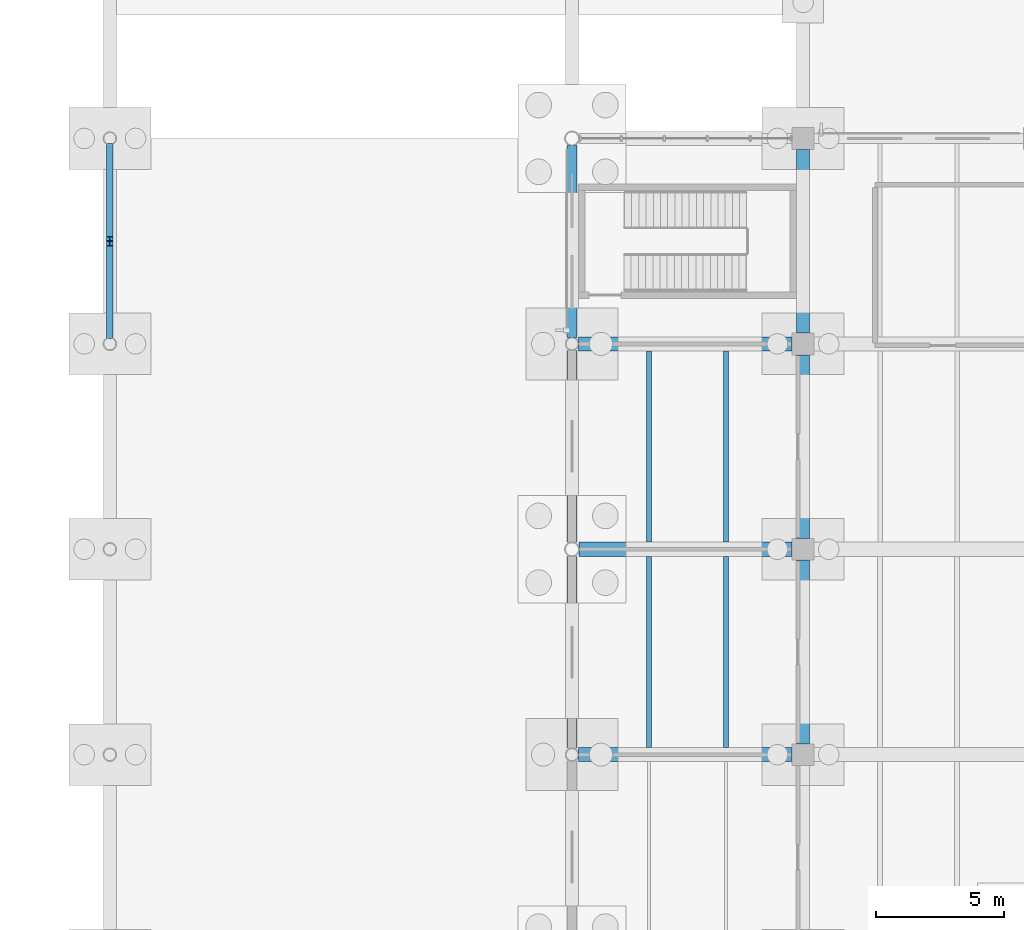
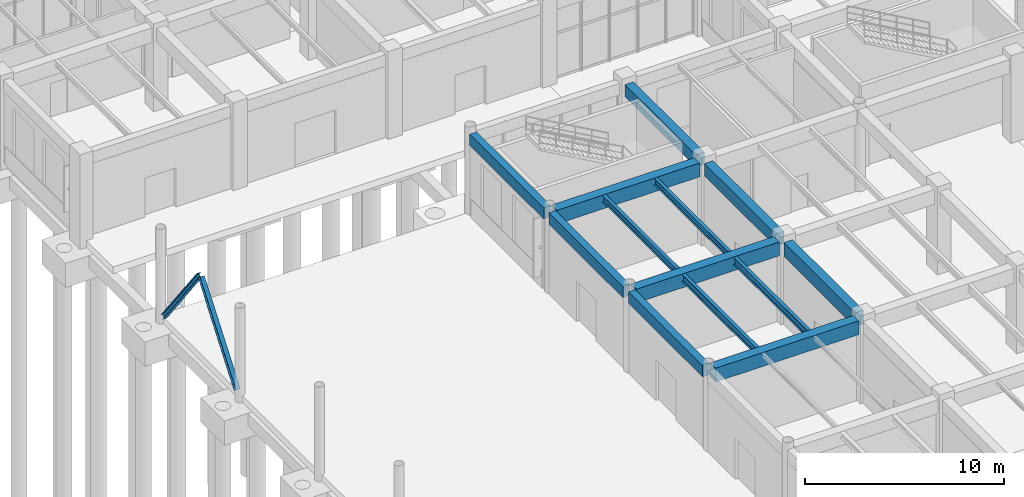
# One storey, part 32 of 121: 13 beams, 2 members.
"""IFC4 building model written with IfcOpenShell, lengths in metres."""

from ifc_helpers import new_model, si_unit, derived_unit, direction, frame, origin, origin_2d, place, context, subcontext, project, spatial, rectangle, i_section, extrude, material, material_profile, profile_set, type_object, element, save


model = new_model("IFC4")

# Units and contexts
model_context = context("Model", 3, precision=1e-05, world=origin(), true_north=direction((0.0, 1.0)))
body_context = subcontext(model_context, "Body", "Model", "MODEL_VIEW")
ifc_project = project(units=[si_unit("LENGTHUNIT", "METRE"), si_unit("AREAUNIT", "SQUARE_METRE"), si_unit("VOLUMEUNIT", "CUBIC_METRE"), si_unit("PLANEANGLEUNIT", "RADIAN"), si_unit("MASSUNIT", "GRAM", prefix="KILO"), derived_unit("THERMALTRANSMITTANCEUNIT", [(si_unit("MASSUNIT", "GRAM", prefix="KILO"), 1), (si_unit("TIMEUNIT", "SECOND"), -3), (si_unit("THERMODYNAMICTEMPERATUREUNIT", "KELVIN"), -1)])], contexts=[model_context])

# Site, building, storey
site_placement = place(None, origin())
site = spatial("IfcSite", under=ifc_project, at=site_placement, CompositionType="ELEMENT")
building_placement = place(site_placement, origin())
building = spatial("IfcBuilding", under=site, at=building_placement, Name="Zhenchuan Archway Interchange", CompositionType="ELEMENT")
storey_placement = place(building_placement, origin())
storey = spatial("IfcBuildingStorey", under=building, at=storey_placement, Name="L00", CompositionType="ELEMENT", Elevation=0.0)

# Beams
ifc_material_1 = material(Name="Concrete C40", Category="concrete")
ifc_material_profile_1 = material_profile(ifc_material_1, rectangle(XDim=0.5, YDim=0.75, at=origin_2d()), Name="RC 500x750")
ifc_profile_set_1 = profile_set([ifc_material_profile_1], Name="Concrete C40")
beam_type_1 = type_object("IfcBeamType", Name="BM_RC_500x750", PredefinedType="BEAM", material=ifc_profile_set_1)
for number, where, z_axis, x_axis, name in (
    (1, (27.0, 72.425048828125, 4.64501953125), (0.0, 1.0, 0.0), (-1.0, 0.0, 0.0), "Beam 4:K-L (L00)"),
    (2, (27.0, 80.425048828125, 4.64501953125), (0.0, 1.0, 0.0), (-1.0, 0.0, 0.0), "Beam 4:L-M (L00)"),
):
    element("IfcBeam", number, at=place(storey_placement, frame(where, z_axis=z_axis, x_axis=x_axis)), inside=storey, type_object=beam_type_1, Name=name, PredefinedType="BEAM", context=body_context, shape_type="SweptSolid", body=[
        extrude(rectangle(XDim=0.5, YDim=0.75, at=origin_2d()), origin(), (0.0, 0.0, 1.0), 7.14990234375),
    ])
ifc_material_profile_2 = material_profile(ifc_material_1, rectangle(XDim=0.5, YDim=0.85009765625, at=origin_2d()), Name="RC 500x850")
ifc_profile_set_2 = profile_set([ifc_material_profile_2], Name="Concrete C40")
beam_type_2 = type_object("IfcBeamType", Name="BM_RC_500x850", PredefinedType="BEAM", material=ifc_profile_set_2)
beam_1_placement = place(storey_placement, frame((27.0, 64.425048828125, 4.594970703125), z_axis=(0.0, 1.0, 0.0), x_axis=(-1.0, 0.0, 0.0)))
element("IfcBeam", 3, at=beam_1_placement, inside=storey, type_object=beam_type_2, Name="Beam 4:J-K (L00)", PredefinedType="BEAM", context=body_context, shape_type="SweptSolid", body=[
    extrude(rectangle(XDim=0.5, YDim=0.85009765625, at=origin_2d()), origin(), (0.0, 0.0, 1.0), 7.14990234375),
])
ifc_material_profile_3 = material_profile(ifc_material_1, rectangle(XDim=0.550048828125, YDim=0.85009765625, at=origin_2d()), Name="RC 550x850")
ifc_profile_set_3 = profile_set([ifc_material_profile_3], Name="Concrete C40")
beam_type_3 = type_object("IfcBeamType", Name="BM_RC_550x850", PredefinedType="BEAM", material=ifc_profile_set_3)
beam_2_placement = place(storey_placement, frame((18.25390625, 64.0, 4.594970703125), z_axis=(1.0, 0.0, 0.0), x_axis=(0.0, 1.0, 0.0)))
element("IfcBeam", 4, at=beam_2_placement, inside=storey, type_object=beam_type_3, Name="Beam J:3-4 (L00)", PredefinedType="BEAM", context=body_context, shape_type="SweptSolid", body=[
    extrude(rectangle(XDim=0.550048828125, YDim=0.85009765625, at=origin_2d()), origin(), (0.0, 0.0, 1.0), 8.321044921875),
])
beam_3_placement = place(storey_placement, frame((18.279541015625, 72.0, 4.594970703125), z_axis=(1.0, 0.0, 0.0), x_axis=(0.0, 1.0, 0.0)))
element("IfcBeam", 5, at=beam_3_placement, inside=storey, type_object=beam_type_3, Name="Beam K:3-4 (L00)", PredefinedType="BEAM", context=body_context, shape_type="SweptSolid", body=[
    extrude(rectangle(XDim=0.550048828125, YDim=0.85009765625, at=origin_2d()), origin(), (0.0, 0.0, 1.0), 8.29541015625),
])
beam_4_placement = place(storey_placement, frame((18.25390625, 80.0, 4.594970703125), z_axis=(1.0, 0.0, 0.0), x_axis=(0.0, 1.0, 0.0)))
element("IfcBeam", 6, at=beam_4_placement, inside=storey, type_object=beam_type_3, Name="Beam L:3-4 (L00)", PredefinedType="BEAM", context=body_context, shape_type="SweptSolid", body=[
    extrude(rectangle(XDim=0.550048828125, YDim=0.85009765625, at=origin_2d()), origin(), (0.0, 0.0, 1.0), 8.321044921875),
])
ifc_material_2 = material(Name="Steel Q355", Category="steel")
ifc_material_profile_4 = material_profile(ifc_material_2, i_section(OverallWidth=0.199951171875, OverallDepth=0.39990234375, WebThickness=0.008056640625, FlangeThickness=0.012939453125, FilletRadius=0.01611328125, at=origin_2d()), Name="HN 400x200")
ifc_profile_set_4 = profile_set([ifc_material_profile_4], Name="Steel Q355")
beam_type_4 = type_object("IfcBeamType", Name="JST_STL_HN400", PredefinedType="JOIST", material=ifc_profile_set_4)
for number, where, z_axis, x_axis, name in (
    (7, (21.0, 72.27490234375, 4.820068359375), (0.0, 1.0, 0.0), (-1.0, 0.0, 0.0), "Secondary joist 3-4/K-L #1 (L00)"),
    (8, (24.0, 72.27490234375, 4.820068359375), (0.0, 1.0, 0.0), (-1.0, 0.0, 0.0), "Secondary joist 3-4/K-L #2 (L00)"),
):
    element("IfcBeam", number, at=place(storey_placement, frame(where, z_axis=z_axis, x_axis=x_axis)), inside=storey, type_object=beam_type_4, Name=name, PredefinedType="JOIST", context=body_context, shape_type="SweptSolid", body=[
        extrude(i_section(OverallWidth=0.199951171875, OverallDepth=0.39990234375, WebThickness=0.008056640625, FlangeThickness=0.012939453125, FilletRadius=0.01611328125, at=origin_2d()), origin(), (0.0, 0.0, 1.0), 7.4501953125),
    ])
ifc_material_profile_5 = material_profile(ifc_material_2, i_section(OverallWidth=0.199951171875, OverallDepth=0.449951171875, WebThickness=0.009033203125, FlangeThickness=0.013916015625, FilletRadius=0.01806640625, at=origin_2d()), Name="HN 450x200")
ifc_profile_set_5 = profile_set([ifc_material_profile_5], Name="Steel Q355")
beam_type_5 = type_object("IfcBeamType", Name="JST_STL_HN450", PredefinedType="JOIST", material=ifc_profile_set_5)
for number, where, z_axis, x_axis, name in (
    (9, (21.0, 64.27490234375, 4.794921875), (0.0, 1.0, 0.0), (-1.0, 0.0, 0.0), "Secondary joist 3-4/J-K #1 (L00)"),
    (10, (24.0, 64.27490234375, 4.794921875), (0.0, 1.0, 0.0), (-1.0, 0.0, 0.0), "Secondary joist 3-4/J-K #2 (L00)"),
):
    element("IfcBeam", number, at=place(storey_placement, frame(where, z_axis=z_axis, x_axis=x_axis)), inside=storey, type_object=beam_type_5, Name=name, PredefinedType="JOIST", context=body_context, shape_type="SweptSolid", body=[
        extrude(i_section(OverallWidth=0.199951171875, OverallDepth=0.449951171875, WebThickness=0.009033203125, FlangeThickness=0.013916015625, FilletRadius=0.01806640625, at=origin_2d()), origin(), (0.0, 0.0, 1.0), 7.4501953125),
    ])

# Members
ifc_material_profile_6 = material_profile(ifc_material_2, i_section(OverallWidth=0.25, OverallDepth=0.25, WebThickness=0.009033203125, FlangeThickness=0.013916015625, FilletRadius=0.01611328125, at=origin_2d()), Name="HW 250x250")
ifc_profile_set_6 = profile_set([ifc_material_profile_6], Name="Steel Q355")
member_type = type_object("IfcMemberType", Name="MB_HW250", PredefinedType="BRACE", material=ifc_profile_set_6)
for number, where, z_axis, x_axis, name in (
    (11, (0.0, 80.300048828125, 0.050048828125), (0.0, 0.606130661201, 0.795365086958), (-1.0, 0.0, 0.0), "Bus canopy lateral chevron brace B8L (L00)"),
    (12, (0.0, 87.699951171875, 0.050048828125), (0.0, -0.606130661201, 0.795365086958), (1.0, 0.0, 0.0), "Bus canopy lateral chevron brace B8R (L00)"),
):
    element("IfcMember", number, at=place(storey_placement, frame(where, z_axis=z_axis, x_axis=x_axis)), inside=storey, type_object=member_type, Name=name, PredefinedType="BRACE", context=body_context, shape_type="SweptSolid", body=[
        extrude(i_section(OverallWidth=0.25, OverallDepth=0.25, WebThickness=0.009033203125, FlangeThickness=0.013916015625, FilletRadius=0.01611328125, at=origin_2d()), origin(), (0.0, 0.0, 1.0), 5.97216796875),
    ])

# Beams
ifc_material_profile_7 = material_profile(ifc_material_1, rectangle(XDim=0.39990234375, YDim=0.699951171875, at=origin_2d()), Name="RC 400x700")
ifc_profile_set_7 = profile_set([ifc_material_profile_7], Name="Concrete C40")
beam_type_6 = type_object("IfcBeamType", Name="SP_RC_400x700", PredefinedType="SPANDREL", material=ifc_profile_set_7)
for number, where, z_axis, x_axis, name in (
    (13, (18.0, 64.25390625, 4.669921875), (0.0, 1.0, 0.0), (-1.0, 0.0, 0.0), "Beam 3:J-K (L00)"),
    (14, (18.0, 72.279541015625, 4.669921875), (0.0, 1.0, 0.0), (-1.0, 0.0, 0.0), "Beam 3:K-L (L00)"),
    (15, (18.0, 80.25390625, 4.669921875), (0.0, 1.0, 0.0), (-1.0, 0.0, 0.0), "Beam 3:L-M (L00)"),
):
    element("IfcBeam", number, at=place(storey_placement, frame(where, z_axis=z_axis, x_axis=x_axis)), inside=storey, type_object=beam_type_6, Name=name, PredefinedType="SPANDREL", context=body_context, shape_type="SweptSolid", body=[
        extrude(rectangle(XDim=0.39990234375, YDim=0.699951171875, at=origin_2d()), origin(), (0.0, 0.0, 1.0), 7.466552734375),
    ])

save(model, "model.ifc")
